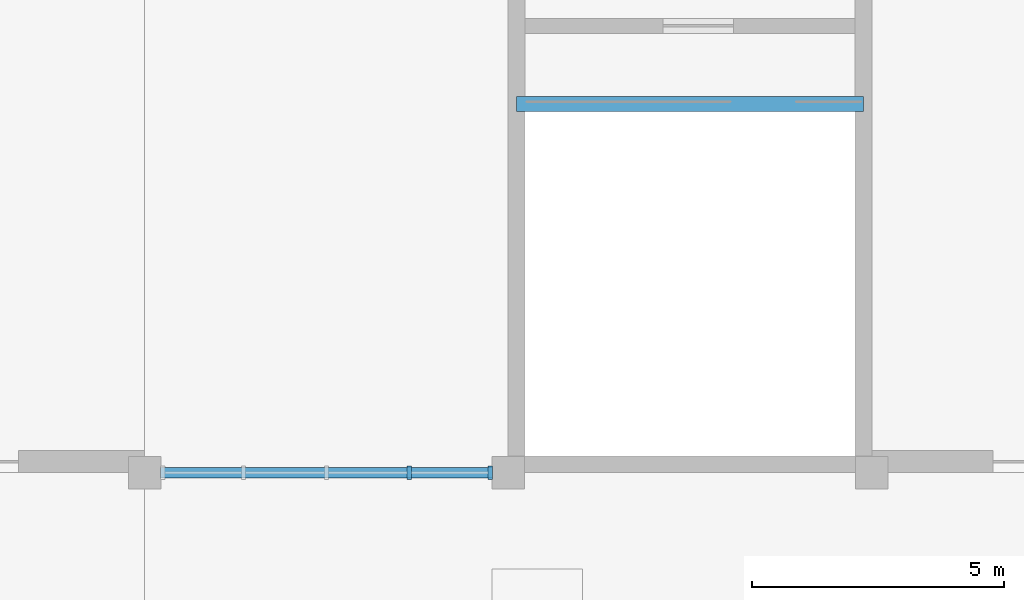
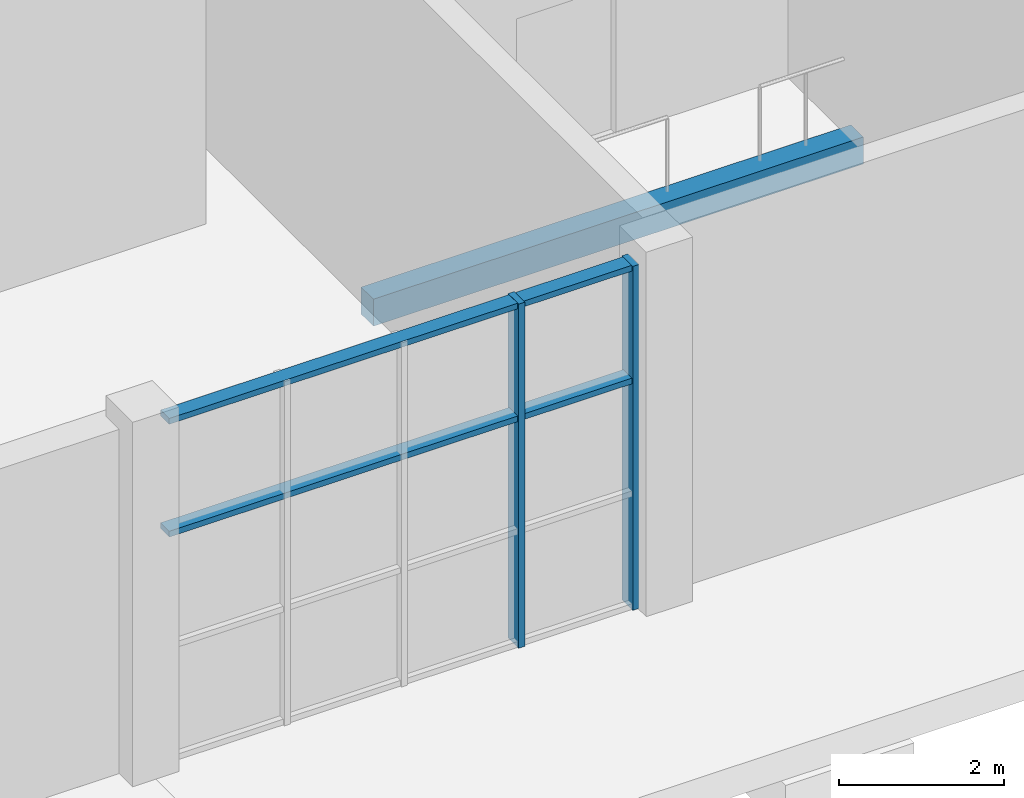
# One storey, part 21 of 75: 4 members, 1 beam, 1 element without a shape of its own.
"""IFC4 building model written with IfcOpenShell, lengths in metres."""

from ifc_helpers import new_model, si_unit, direction, frame, origin, origin_2d, place, context, subcontext, project, spatial, rectangle, extrude, material, material_profile, profile_set, type_object, element, aggregate, save


model = new_model("IFC4")

# Units and contexts
model_context = context("Model", 3, precision=1e-05, world=origin(), true_north=direction((0.0, 1.0)))
body_context = subcontext(model_context, "Body", "Model", "MODEL_VIEW")
ifc_project = project(units=[si_unit("LENGTHUNIT", "METRE"), si_unit("AREAUNIT", "SQUARE_METRE"), si_unit("VOLUMEUNIT", "CUBIC_METRE"), si_unit("PLANEANGLEUNIT", "RADIAN"), si_unit("MASSUNIT", "GRAM", prefix="KILO")], contexts=[model_context])

# Site, building, storey
site_placement = place(None, origin())
site = spatial("IfcSite", under=ifc_project, at=site_placement, CompositionType="ELEMENT")
building_placement = place(site_placement, origin())
building = spatial("IfcBuilding", under=site, at=building_placement, Name="Leyfeld Transit Interchange", CompositionType="ELEMENT")
storey_placement = place(building_placement, origin())
storey = spatial("IfcBuildingStorey", under=building, at=storey_placement, Name="L00", CompositionType="ELEMENT", Elevation=0.0)

# Beam
ifc_material_1 = material(Name="Concrete C35/45", Category="concrete")
ifc_material_profile_1 = material_profile(ifc_material_1, rectangle(XDim=0.300048828125, YDim=0.39990234375, at=origin_2d()), Name="RC 400x300")
ifc_profile_set_1 = profile_set([ifc_material_profile_1], Name="Concrete C35/45")
beam_type = type_object("IfcBeamType", Name="BM-RC-400x300", PredefinedType="LINTEL", material=ifc_profile_set_1)
beam_placement = place(storey_placement, frame((50.56494140625, 21.699951171875, -0.199951171875), z_axis=(1.0, 0.0, 0.0), x_axis=(0.0, 1.0, 0.0)))
element("IfcBeam", 1, at=beam_placement, inside=storey, type_object=beam_type, Name="Core K8 Floor Landing Corbel L00", PredefinedType="LINTEL", context=body_context, shape_type="SweptSolid", body=[
    extrude(rectangle(XDim=0.300048828125, YDim=0.39990234375, at=origin_2d()), origin(), (0.0, 0.0, 1.0), 6.8701171875),
])

# Curtain wall, members
ifc_material_2 = material(Name="Anodised aluminium EN AW-6060 T66", Category="aluminium")
curtain_wall_type = type_object("IfcCurtainWallType", Name="CW-SYS-ARC-7200", PredefinedType="NOTDEFINED", material=ifc_material_2)
curtain_wall_placement = place(storey_placement, origin())
curtain_wall = element("IfcCurtainWall", 2, at=curtain_wall_placement, inside=storey, type_object=curtain_wall_type, Name="Curtain Wall CW-L00-036", PredefinedType="NOTDEFINED")
ifc_material_profile_2 = material_profile(ifc_material_2, rectangle(XDim=0.0849609375, YDim=0.260009765625, at=origin_2d()), Name="CW-M 85x260")
ifc_profile_set_2 = profile_set([ifc_material_profile_2], Name="Anodised aluminium EN AW-6060 T66")
member_type_1 = type_object("IfcMemberType", Name="CW-MUL-220x80", PredefinedType="MULLION", material=ifc_profile_set_2)
member_1_placement = place(storey_placement, frame((50.04248046875, 14.39990234375, 0.0), z_axis=(0.0, 0.0, 1.0), x_axis=(-1.0, 0.0, 0.0)))
member_1 = element("IfcMember", 3, at=member_1_placement, type_object=member_type_1, Name="Curtain Mullion CW-L00-036-M01", PredefinedType="MULLION", context=body_context, shape_type="SweptSolid", body=[
    extrude(rectangle(XDim=0.0849609375, YDim=0.260009765625, at=origin_2d()), origin(), (0.0, 0.0, 1.0), 5.10009765625),
])
member_2_placement = place(storey_placement, frame((48.4423828125, 14.39990234375, 0.0), z_axis=(0.0, 0.0, 1.0), x_axis=(-1.0, 0.0, 0.0)))
member_2 = element("IfcMember", 4, at=member_2_placement, type_object=member_type_1, Name="Curtain Mullion CW-L00-036-M02", PredefinedType="MULLION", context=body_context, shape_type="SweptSolid", body=[
    extrude(rectangle(XDim=0.0849609375, YDim=0.260009765625, at=origin_2d()), origin(), (0.0, 0.0, 1.0), 5.10009765625),
])
ifc_material_profile_3 = material_profile(ifc_material_2, rectangle(XDim=0.2099609375, YDim=0.0849609375, at=origin_2d()), Name="CW-TRN-200x80")
ifc_profile_set_3 = profile_set([ifc_material_profile_3], Name="Anodised aluminium EN AW-6060 T66")
member_type_2 = type_object("IfcMemberType", Name="CW-TRN-200x80", PredefinedType="USERDEFINED", material=ifc_profile_set_3)
member_3_placement = place(storey_placement, frame((50.0849609375, 14.39990234375, 3.3857421875), z_axis=(-1.0, 0.0, 0.0), x_axis=(0.0, -1.0, 0.0)))
member_3 = element("IfcMember", 5, at=member_3_placement, type_object=member_type_2, Name="Curtain Transom CW-L00-036-T03", ObjectType="TRANSOM", PredefinedType="USERDEFINED", context=body_context, shape_type="SweptSolid", body=[
    extrude(rectangle(XDim=0.2099609375, YDim=0.0849609375, at=origin_2d()), origin(), (0.0, 0.0, 1.0), 6.570068359375),
])
member_4_placement = place(storey_placement, frame((50.0849609375, 14.39990234375, 5.0576171875), z_axis=(-1.0, 0.0, 0.0), x_axis=(0.0, -1.0, 0.0)))
member_4 = element("IfcMember", 6, at=member_4_placement, type_object=member_type_2, Name="Curtain Transom CW-L00-036-T04", ObjectType="TRANSOM", PredefinedType="USERDEFINED", context=body_context, shape_type="SweptSolid", body=[
    extrude(rectangle(XDim=0.2099609375, YDim=0.0849609375, at=origin_2d()), origin(), (0.0, 0.0, 1.0), 6.570068359375),
])
aggregate(curtain_wall, [member_1, member_2, member_3, member_4])

save(model, "model.ifc")
